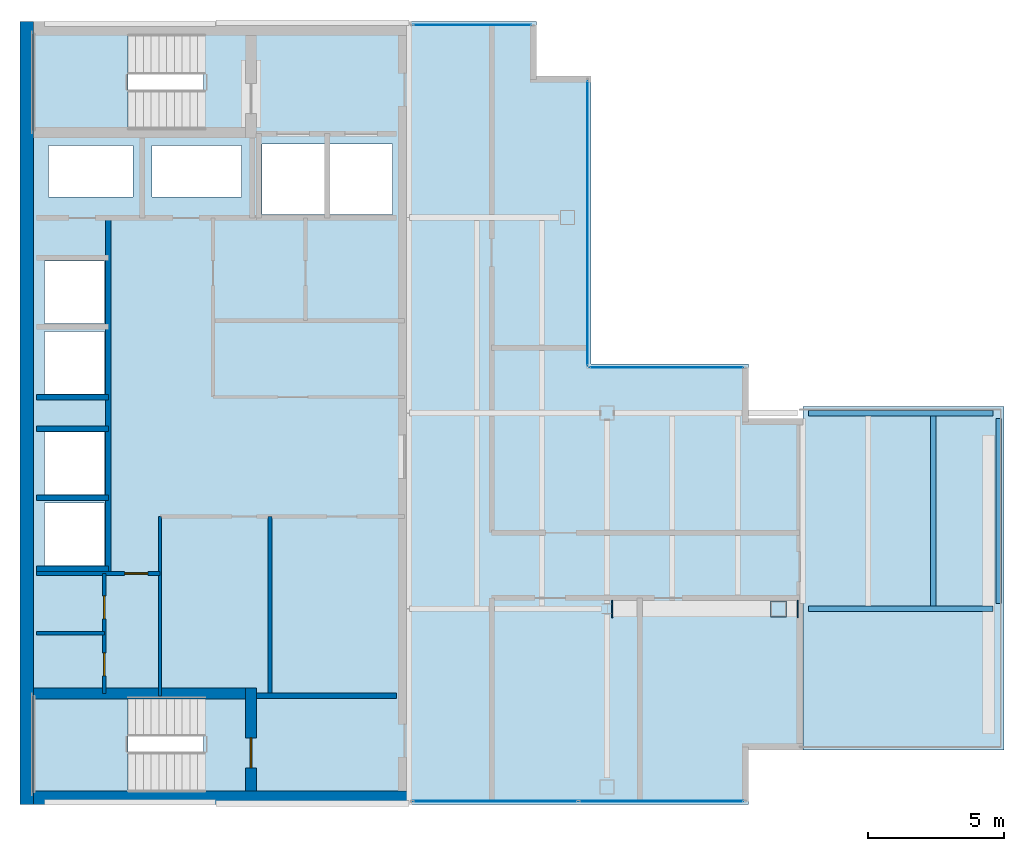
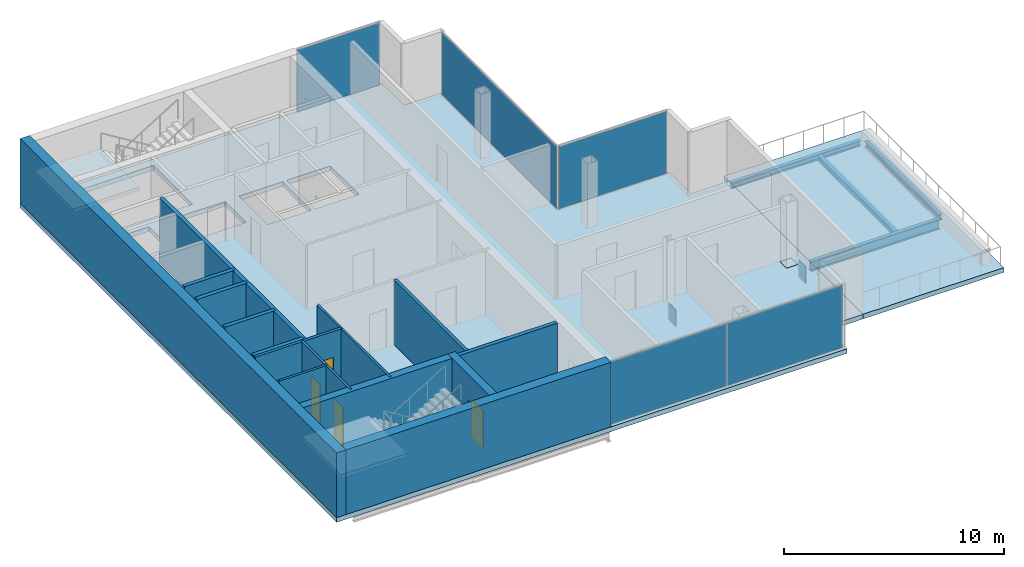
# One storey, part 13 of 16: 15 walls, 8 plates, 4 beams, 4 doors, 4 slabs, 14 openings, 6 elements without a shape of their own.
"""IFC4 building model written with IfcOpenShell, lengths in metres."""

from ifc_helpers import new_model, si_unit, direction, frame, frame_2d, origin, origin_2d, place, context, subcontext, project, spatial, polyline, rectangle, i_section, outline, extrude, material, layer, layer_set, material_profile, profile_set, type_object, element, fill, aggregate, save


model = new_model("IFC4")

# Units and contexts
model_context = context("Model", 3, precision=1e-05, world=origin(), true_north=direction((0.0, 1.0)))
body_context = subcontext(model_context, "Body", "Model", "MODEL_VIEW")
ifc_project = project(units=[si_unit("LENGTHUNIT", "METRE"), si_unit("AREAUNIT", "SQUARE_METRE"), si_unit("VOLUMEUNIT", "CUBIC_METRE"), si_unit("PLANEANGLEUNIT", "RADIAN"), si_unit("MASSUNIT", "GRAM", prefix="KILO")], contexts=[model_context])

# Site, building, storey
site_placement = place(None, origin())
site = spatial("IfcSite", under=ifc_project, at=site_placement, CompositionType="ELEMENT")
building_placement = place(site_placement, origin())
building = spatial("IfcBuilding", under=site, at=building_placement, Name="Cobrela Telecom Tower", CompositionType="ELEMENT")
storey_placement = place(building_placement, frame((0.0, 0.0, 293.64990234375)))
storey = spatial("IfcBuildingStorey", under=building, at=storey_placement, Name="L77", CompositionType="ELEMENT", Elevation=293.64990234375)

# Beams
ifc_material_1 = material(Name="Steel ASTM A992 Grade 50", Category="steel")
ifc_material_profile_1 = material_profile(ifc_material_1, i_section(OverallWidth=0.212890625, OverallDepth=0.549072265625, WebThickness=0.0146484375, FlangeThickness=0.023681640625, FilletRadius=0.013916015625, at=origin_2d()), Name="W21X93")
ifc_profile_set_1 = profile_set([ifc_material_profile_1], Name="Steel ASTM A992 Grade 50")
beam_type_1 = type_object("IfcBeamType", Name="BM-GIRD-08", PredefinedType="USERDEFINED", material=ifc_profile_set_1)
beam_1_placement = place(storey_placement, frame((29.00439453125, 14.39990234375, -0.534423828125), z_axis=(1.0, 0.0, 0.0), x_axis=(0.0, 1.0, 0.0)))
element("IfcBeam", 1, at=beam_1_placement, inside=storey, type_object=beam_type_1, Name="L77 Primary Girder X04", ObjectType="GIRDER", PredefinedType="USERDEFINED", context=body_context, shape_type="SweptSolid", body=[
    extrude(i_section(OverallWidth=0.212890625, OverallDepth=0.549072265625, WebThickness=0.0146484375, FlangeThickness=0.023681640625, FilletRadius=0.013916015625, at=origin_2d()), origin(), (0.0, 0.0, 1.0), 6.791015625),
])
ifc_material_profile_2 = material_profile(ifc_material_1, i_section(OverallWidth=0.205078125, OverallDepth=0.31005859375, WebThickness=0.009521484375, FlangeThickness=0.016357421875, FilletRadius=0.010986328125, at=origin_2d()), Name="W12X50")
ifc_profile_set_2 = profile_set([ifc_material_profile_2], Name="Steel ASTM A992 Grade 50")
beam_type_2 = type_object("IfcBeamType", Name="BM-JOIST-05", PredefinedType="JOIST", material=ifc_profile_set_2)
beam_2_placement = place(storey_placement, frame((33.60009765625, 14.511474609375, -0.414794921875), z_axis=(0.0, 1.0, 0.0), x_axis=(-1.0, 0.0, 0.0)))
element("IfcBeam", 2, at=beam_2_placement, inside=storey, type_object=beam_type_2, Name="L77 Secondary Composite Floor Beam J08", PredefinedType="JOIST", context=body_context, shape_type="SweptSolid", body=[
    extrude(i_section(OverallWidth=0.205078125, OverallDepth=0.31005859375, WebThickness=0.009521484375, FlangeThickness=0.016357421875, FilletRadius=0.010986328125, at=origin_2d()), origin(), (0.0, 0.0, 1.0), 6.98095703125),
])
ifc_material_profile_3 = material_profile(ifc_material_1, i_section(OverallWidth=0.205078125, OverallDepth=0.31005859375, WebThickness=0.009521484375, FlangeThickness=0.016357421875, FilletRadius=0.010986328125, at=origin_2d()), Name="W12X50")
ifc_profile_set_3 = profile_set([ifc_material_profile_3], Name="Steel ASTM A992 Grade 50")
beam_type_3 = type_object("IfcBeamType", Name="BM-SPAND-07", PredefinedType="SPANDREL", material=ifc_profile_set_3)
for number, where, z_axis, x_axis, name in (
    (3, (29.00439453125, 21.60009765625, -0.414794921875), (1.0, 0.0, 0.0), (0.0, 1.0, 0.0), "L77 Perimeter Spandrel X07"),
    (4, (36.0, 14.6044921875, -0.414794921875), (0.0, 1.0, 0.0), (-1.0, 0.0, 0.0), "L77 Perimeter Spandrel Y18"),
):
    element("IfcBeam", number, at=place(storey_placement, frame(where, z_axis=z_axis, x_axis=x_axis)), inside=storey, type_object=beam_type_3, Name=name, PredefinedType="SPANDREL", context=body_context, shape_type="SweptSolid", body=[
        extrude(i_section(OverallWidth=0.205078125, OverallDepth=0.31005859375, WebThickness=0.009521484375, FlangeThickness=0.016357421875, FilletRadius=0.010986328125, at=origin_2d()), origin(), (0.0, 0.0, 1.0), 6.791015625),
    ])

# Curtain wall, plate
ifc_material_2 = material(Name="Anodized Bronze Aluminium 6063-T6", Category="aluminium")
curtain_wall_type = type_object("IfcCurtainWallType", Name="CW-SYS-DRUM", PredefinedType="USERDEFINED", material=ifc_material_2)
curtain_wall_1_placement = place(storey_placement, origin())
curtain_wall_1 = element("IfcCurtainWall", 5, at=curtain_wall_1_placement, inside=storey, type_object=curtain_wall_type, Name="L77 Unitised Bronze Curtain Wall 01", ObjectType="UNITISED CURTAIN WALL", PredefinedType="USERDEFINED")
ifc_material_3 = material(Name="Solar-Control Bronze Low-E Glass", Category="glass")
ifc_layer_1 = layer(ifc_material_3, 0.028076171875)
ifc_layer_set_1 = layer_set([ifc_layer_1], Name="Solar-Control Bronze Low-E Glass")
plate_type_1 = type_object("IfcPlateType", Name="CW-SYS-DRUM-PNL", PredefinedType="CURTAIN_PANEL", material=ifc_layer_set_1)
plate_1_placement = place(storey_placement, frame((16.639892578125, 35.8798828125, 0.065185546875), z_axis=(0.0, 0.0, 1.0), x_axis=(1.0, 0.0, 0.0)))
plate_1 = element("IfcPlate", 6, at=plate_1_placement, type_object=plate_type_1, Name="CW-DRUM panel 1.1", PredefinedType="CURTAIN_PANEL", context=body_context, shape_type="SweptSolid", body=[
    extrude(rectangle(XDim=4.35009765625, YDim=0.028076171875, at=origin_2d()), origin(), (0.0, 0.0, 1.0), 3.4599609375),
])
aggregate(curtain_wall_1, [plate_1])

curtain_wall_2_placement = place(storey_placement, origin())
curtain_wall_2 = element("IfcCurtainWall", 7, at=curtain_wall_2_placement, inside=storey, type_object=curtain_wall_type, Name="L77 Unitised Bronze Curtain Wall 04", ObjectType="UNITISED CURTAIN WALL", PredefinedType="USERDEFINED")
plate_2_placement = place(storey_placement, frame((20.8798828125, 28.580078125, 0.065185546875), z_axis=(0.0, 0.0, 1.0), x_axis=(0.0, -1.0, 0.0)))
plate_2 = element("IfcPlate", 8, at=plate_2_placement, type_object=plate_type_1, Name="CW-DRUM panel 1.1", PredefinedType="CURTAIN_PANEL", context=body_context, shape_type="SweptSolid", body=[
    extrude(rectangle(XDim=10.469970703125, YDim=0.028076171875, at=origin_2d()), origin(), (0.0, 0.0, 1.0), 3.4599609375),
])
aggregate(curtain_wall_2, [plate_2])

curtain_wall_3_placement = place(storey_placement, origin())
curtain_wall_3 = element("IfcCurtainWall", 9, at=curtain_wall_3_placement, inside=storey, type_object=curtain_wall_type, Name="L77 Unitised Bronze Curtain Wall 05", ObjectType="UNITISED CURTAIN WALL", PredefinedType="USERDEFINED")
plate_3_placement = place(storey_placement, frame((23.780029296875, 23.280029296875, 0.065185546875), z_axis=(0.0, 0.0, 1.0), x_axis=(1.0, 0.0, 0.0)))
plate_3 = element("IfcPlate", 10, at=plate_3_placement, type_object=plate_type_1, Name="CW-DRUM panel 1.1", PredefinedType="CURTAIN_PANEL", context=body_context, shape_type="SweptSolid", body=[
    extrude(rectangle(XDim=5.669921875, YDim=0.028076171875, at=origin_2d()), origin(), (0.0, 0.0, 1.0), 3.4599609375),
])
aggregate(curtain_wall_3, [plate_3])

# Curtain wall, plates
curtain_wall_4_placement = place(storey_placement, origin())
curtain_wall_4 = element("IfcCurtainWall", 11, at=curtain_wall_4_placement, inside=storey, type_object=curtain_wall_type, Name="L77 Unitised Bronze Curtain Wall 11", ObjectType="UNITISED CURTAIN WALL", PredefinedType="USERDEFINED")
plate_4_placement = place(storey_placement, frame((23.59375, 7.320068359375, 0.065185546875), z_axis=(0.0, 0.0, 1.0), x_axis=(-1.0, 0.0, 0.0)))
plate_4 = element("IfcPlate", 12, at=plate_4_placement, type_object=plate_type_1, Name="CW-DRUM panel 1.1", PredefinedType="CURTAIN_PANEL", context=body_context, shape_type="SweptSolid", body=[
    extrude(rectangle(XDim=6.04248046875, YDim=0.028076171875, at=origin_2d()), origin(), (0.0, 0.0, 1.0), 3.4599609375),
])
plate_5_placement = place(storey_placement, frame((17.486328125, 7.320068359375, 0.065185546875), z_axis=(0.0, 0.0, 1.0), x_axis=(-1.0, 0.0, 0.0)))
plate_5 = element("IfcPlate", 13, at=plate_5_placement, type_object=plate_type_1, Name="CW-DRUM panel 2.1", PredefinedType="CURTAIN_PANEL", context=body_context, shape_type="SweptSolid", body=[
    extrude(rectangle(XDim=6.04248046875, YDim=0.028076171875, at=origin_2d()), origin(), (0.0, 0.0, 1.0), 3.4599609375),
])
aggregate(curtain_wall_4, [plate_4, plate_5])

# Plates
ifc_material_4 = material(Name="Steel ASTM A572 Grade 50", Category="steel")
ifc_layer_2 = layer(ifc_material_4, 0.044921875)
ifc_layer_set_2 = layer_set([ifc_layer_2], Name="Steel ASTM A572 Grade 50")
plate_type_2 = type_object("IfcPlateType", Name="PLT-END-CAP-45", PredefinedType="SHEET", material=ifc_layer_set_2)
plate_6_placement = place(storey_placement, frame((27.89990234375, 14.39990234375, -0.04248046875), z_axis=(0.0, 0.0, 1.0), x_axis=(1.0, 0.0, 0.0)))
element("IfcPlate", 14, at=plate_6_placement, inside=storey, type_object=plate_type_2, Name="L77 Stepped Column Base Cap Plate 83", PredefinedType="SHEET", context=body_context, shape_type="SweptSolid", body=[
    extrude(rectangle(XDim=0.590087890625, YDim=0.590087890625, at=origin_2d()), origin(), (0.0, 0.0, 1.0), 0.044921875),
])
ifc_layer_3 = layer(ifc_material_4, 0.048095703125)
ifc_layer_set_3 = layer_set([ifc_layer_3], Name="Steel ASTM A572 Grade 50")
plate_type_3 = type_object("IfcPlateType", Name="PLT-NODE-ND4", PredefinedType="USERDEFINED", material=ifc_layer_set_3)
for number, where, z_axis, x_axis, name in (
    (15, (21.784423828125, 14.39990234375, -1.179931640625), (0.0, 0.0, 1.0), (1.0, 0.0, 0.0), "Steel node plate PLT-BM-L77-BM-TRG-900-X-144-218-C0"),
    (16, (28.615478515625, 14.39990234375, -1.179931640625), (0.0, 0.0, 1.0), (1.0, 0.0, 0.0), "Steel node plate PLT-BM-L77-BM-TRG-900-X-144-218-C1"),
):
    element("IfcPlate", number, at=place(storey_placement, frame(where, z_axis=z_axis, x_axis=x_axis)), inside=storey, type_object=plate_type_3, Name=name, ObjectType="GUSSET PLATE", PredefinedType="USERDEFINED", context=body_context, shape_type="SweptSolid", body=[
        extrude(rectangle(XDim=0.044921875, YDim=0.639892578125, at=origin_2d()), origin(), (0.0, 0.0, 1.0), 0.93994140625),
    ])

# Slab, openings
ifc_material_5 = material(Name="Concrete C40/50", Category="concrete")
ifc_layer_4 = layer(ifc_material_5, 0.260009765625)
ifc_layer_set_4 = layer_set([ifc_layer_4], Name="Concrete C40/50")
slab_type_1 = type_object("IfcSlabType", Name="SLAB-FLR-260", PredefinedType="FLOOR", material=ifc_layer_set_4)
slab_1_placement = place(storey_placement, frame((0.0, 0.0, -0.260009765625)))
slab_1 = element("IfcSlab", 17, at=slab_1_placement, inside=storey, type_object=slab_type_1, Name="L77 Structural Floor Slab", PredefinedType="FLOOR", context=body_context, shape_type="SweptSolid", body=[
    extrude(outline(polyline([(0.0, 7.199951171875), (26.800048828125, 7.199951171875), (26.800048828125, 9.199951171875), (28.800048828125, 9.199951171875), (28.800048828125, 21.39990234375), (26.800048828125, 21.39990234375), (26.800048828125, 23.39990234375), (21.0, 23.39990234375), (21.0, 34.0), (19.0, 34.0), (19.0, 36.0), (0.0, 36.0), (0.0, 7.199951171875)])), origin(), (0.0, 0.0, 1.0), 0.260009765625),
])
opening_1_placement = place(slab_1_placement, frame((0.0, 0.0, -0.02001953125)))
element("IfcOpeningElement", 18, at=opening_1_placement, cuts=slab_1, Name="Slab Shaft Opening SLAB-L77-MAIN.1", PredefinedType="OPENING", context=body_context, shape_type="SweptSolid", body=[
    extrude(outline(polyline([(8.89990234375, 28.89990234375), (11.199951171875, 28.89990234375), (11.199951171875, 31.5), (8.89990234375, 31.5), (8.89990234375, 28.89990234375)])), origin(), (0.0, 0.0, 1.0), 0.300048828125),
])
opening_2_placement = place(slab_1_placement, frame((0.0, 0.0, -0.02001953125)))
element("IfcOpeningElement", 19, at=opening_2_placement, cuts=slab_1, Name="Slab Shaft Opening SLAB-L77-MAIN.2", PredefinedType="OPENING", context=body_context, shape_type="SweptSolid", body=[
    extrude(outline(polyline([(11.39990234375, 28.89990234375), (13.699951171875, 28.89990234375), (13.699951171875, 31.5), (11.39990234375, 31.5), (11.39990234375, 28.89990234375)])), origin(), (0.0, 0.0, 1.0), 0.300048828125),
])
opening_3_placement = place(slab_1_placement, frame((0.0, 0.0, -0.02001953125)))
element("IfcOpeningElement", 20, at=opening_3_placement, cuts=slab_1, Name="Slab Shaft Opening SLAB-L77-MAIN.3", PredefinedType="OPENING", context=body_context, shape_type="SweptSolid", body=[
    extrude(outline(polyline([(0.89990234375, 16.0), (3.10009765625, 16.0), (3.10009765625, 18.300048828125), (0.89990234375, 18.300048828125), (0.89990234375, 16.0)])), origin(), (0.0, 0.0, 1.0), 0.300048828125),
])
opening_4_placement = place(slab_1_placement, frame((0.0, 0.0, -0.02001953125)))
element("IfcOpeningElement", 21, at=opening_4_placement, cuts=slab_1, Name="Slab Shaft Opening SLAB-L77-MAIN.4", PredefinedType="OPENING", context=body_context, shape_type="SweptSolid", body=[
    extrude(outline(polyline([(0.89990234375, 18.60009765625), (3.10009765625, 18.60009765625), (3.10009765625, 20.89990234375), (0.89990234375, 20.89990234375), (0.89990234375, 18.60009765625)])), origin(), (0.0, 0.0, 1.0), 0.300048828125),
])
opening_5_placement = place(slab_1_placement, frame((0.0, 0.0, -0.02001953125)))
element("IfcOpeningElement", 22, at=opening_5_placement, cuts=slab_1, Name="Slab Shaft Opening SLAB-L77-MAIN.5", PredefinedType="OPENING", context=body_context, shape_type="SweptSolid", body=[
    extrude(outline(polyline([(0.89990234375, 22.300048828125), (3.10009765625, 22.300048828125), (3.10009765625, 24.60009765625), (0.89990234375, 24.60009765625), (0.89990234375, 22.300048828125)])), origin(), (0.0, 0.0, 1.0), 0.300048828125),
])
opening_6_placement = place(slab_1_placement, frame((0.0, 0.0, -0.02001953125)))
element("IfcOpeningElement", 23, at=opening_6_placement, cuts=slab_1, Name="Slab Shaft Opening SLAB-L77-MAIN.6", PredefinedType="OPENING", context=body_context, shape_type="SweptSolid", body=[
    extrude(outline(polyline([(0.89990234375, 24.89990234375), (3.10009765625, 24.89990234375), (3.10009765625, 27.199951171875), (0.89990234375, 27.199951171875), (0.89990234375, 24.89990234375)])), origin(), (0.0, 0.0, 1.0), 0.300048828125),
])
opening_7_placement = place(slab_1_placement, frame((0.0, 0.0, -0.02001953125)))
element("IfcOpeningElement", 24, at=opening_7_placement, cuts=slab_1, Name="Slab Shaft Opening SLAB-L77-MAIN.7", PredefinedType="OPENING", context=body_context, shape_type="SweptSolid", body=[
    extrude(outline(polyline([(1.050048828125, 29.550048828125), (4.14990234375, 29.550048828125), (4.14990234375, 31.449951171875), (1.050048828125, 31.449951171875), (1.050048828125, 29.550048828125)])), origin(), (0.0, 0.0, 1.0), 0.300048828125),
])
opening_8_placement = place(slab_1_placement, frame((0.0, 0.0, -0.02001953125)))
element("IfcOpeningElement", 25, at=opening_8_placement, cuts=slab_1, Name="Slab Shaft Opening SLAB-L77-MAIN.8", PredefinedType="OPENING", context=body_context, shape_type="SweptSolid", body=[
    extrude(outline(polyline([(4.85009765625, 29.550048828125), (8.14990234375, 29.550048828125), (8.14990234375, 31.449951171875), (4.85009765625, 31.449951171875), (4.85009765625, 29.550048828125)])), origin(), (0.0, 0.0, 1.0), 0.300048828125),
])
opening_9_placement = place(slab_1_placement, frame((0.0, 0.0, -0.02001953125)))
element("IfcOpeningElement", 26, at=opening_9_placement, cuts=slab_1, Name="Slab Shaft Opening SLAB-L77-MAIN.9", PredefinedType="OPENING", context=body_context, shape_type="SweptSolid", body=[
    extrude(outline(polyline([(6.7548828125, 35.550048828125), (0.47998046875, 35.550048828125), (0.47998046875, 32.0), (6.7548828125, 32.0), (6.7548828125, 35.550048828125)])), origin(), (0.0, 0.0, 1.0), 0.300048828125),
])
opening_10_placement = place(slab_1_placement, frame((0.0, 0.0, -0.02001953125)))
element("IfcOpeningElement", 27, at=opening_10_placement, cuts=slab_1, Name="Slab Shaft Opening SLAB-L77-MAIN.10", PredefinedType="OPENING", context=body_context, shape_type="SweptSolid", body=[
    extrude(outline(polyline([(6.7548828125, 11.199951171875), (0.47998046875, 11.199951171875), (0.47998046875, 7.64990234375), (6.7548828125, 7.64990234375), (6.7548828125, 11.199951171875)])), origin(), (0.0, 0.0, 1.0), 0.300048828125),
])

# Stair, slab
stair_type = type_object("IfcStairType", Name="STAIR-CORE", PredefinedType="HALF_TURN_STAIR", material=ifc_material_5)
stair_1_placement = place(storey_placement, origin())
stair_1 = element("IfcStair", 28, at=stair_1_placement, inside=storey, type_object=stair_type, Name="L77 Smokeproof Exit Stair ST1", PredefinedType="HALF_TURN_STAIR")
ifc_layer_5 = layer(ifc_material_5, 0.199951171875)
ifc_layer_set_5 = layer_set([ifc_layer_5], Name="Concrete C40/50")
slab_type_2 = type_object("IfcSlabType", Name="SLAB-LAND-200", PredefinedType="LANDING", material=ifc_layer_set_5)
slab_2_placement = place(storey_placement, frame((0.0, 0.0, 1.72509765625)))
slab_2 = element("IfcSlab", 29, at=slab_2_placement, type_object=slab_type_2, Name="ST1 landing 1", PredefinedType="LANDING", context=body_context, shape_type="SweptSolid", body=[
    extrude(outline(polyline([(3.969970703125, 35.550048828125), (0.47998046875, 35.550048828125), (0.47998046875, 32.0), (3.969970703125, 32.0), (3.969970703125, 35.550048828125)])), origin(), (0.0, 0.0, 1.0), 0.199951171875),
])
aggregate(stair_1, [slab_2])

stair_2_placement = place(storey_placement, origin())
stair_2 = element("IfcStair", 30, at=stair_2_placement, inside=storey, type_object=stair_type, Name="L77 Smokeproof Exit Stair ST2", PredefinedType="HALF_TURN_STAIR")
slab_3_placement = place(storey_placement, frame((0.0, 0.0, 1.72509765625)))
slab_3 = element("IfcSlab", 31, at=slab_3_placement, type_object=slab_type_2, Name="ST2 landing 1", PredefinedType="LANDING", context=body_context, shape_type="SweptSolid", body=[
    extrude(outline(polyline([(3.969970703125, 11.199951171875), (0.47998046875, 11.199951171875), (0.47998046875, 7.64990234375), (3.969970703125, 7.64990234375), (3.969970703125, 11.199951171875)])), origin(), (0.0, 0.0, 1.0), 0.199951171875),
])
aggregate(stair_2, [slab_3])

# Slab
ifc_layer_6 = layer(ifc_material_5, 0.280029296875)
ifc_layer_set_6 = layer_set([ifc_layer_6], Name="Concrete C40/50")
slab_type_3 = type_object("IfcSlabType", Name="SLAB-TERR-280", PredefinedType="FLOOR", material=ifc_layer_set_6)
slab_4_placement = place(storey_placement, frame((0.0, 0.0, -0.260009765625)))
element("IfcSlab", 32, at=slab_4_placement, inside=storey, type_object=slab_type_3, Name="L77 Crown Upper Sky Garden Terrace", PredefinedType="FLOOR", context=body_context, shape_type="SweptSolid", body=[
    extrude(outline(polyline([(28.800048828125, 9.199951171875), (36.199951171875, 9.199951171875), (36.199951171875, 21.85009765625), (28.800048828125, 21.85009765625), (28.800048828125, 9.199951171875)])), origin(), (0.0, 0.0, 1.0), 0.260009765625),
])

# Walls
ifc_layer_7 = layer(ifc_material_5, 0.5)
ifc_layer_set_7 = layer_set([ifc_layer_7], Name="Concrete C40/50")
wall_type_1 = type_object("IfcWallType", Name="WALL-CORE-C40-500", PredefinedType="SHEAR", material=ifc_layer_set_7)
wall_1_placement = place(storey_placement, frame((0.25, 7.199951171875, 0.0), z_axis=(0.0, 0.0, 1.0), x_axis=(0.0, 1.0, 0.0)))
element("IfcWall", 33, at=wall_1_placement, inside=storey, type_object=wall_type_1, Name="L77 West Core Shear Wall", PredefinedType="SHEAR", context=body_context, shape_type="SweptSolid", body=[
    extrude(rectangle(XDim=28.800048828125, YDim=0.5, at=frame_2d((14.39990234375, 0.0))), origin(), (0.0, 0.0, 1.0), 3.590087890625),
])
wall_2_placement = place(storey_placement, frame((0.5, 7.449951171875, 0.0), z_axis=(0.0, 0.0, 1.0), x_axis=(1.0, 0.0, 0.0)))
element("IfcWall", 34, at=wall_2_placement, inside=storey, type_object=wall_type_1, Name="L77 South Core Shear Wall", PredefinedType="SHEAR", context=body_context, shape_type="SweptSolid", body=[
    extrude(rectangle(XDim=13.89990234375, YDim=0.5, at=frame_2d((6.949951171875, 0.0))), origin(), (0.0, 0.0, 1.0), 3.590087890625),
])
ifc_material_6 = material(Name="Fire-Rated Gypsum Plasterboard")
ifc_layer_8 = layer(ifc_material_6, 0.110107421875)
ifc_layer_set_8 = layer_set([ifc_layer_8], Name="Fire-Rated Gypsum Plasterboard")
wall_type_2 = type_object("IfcWallType", Name="WALL-PART-110", PredefinedType="PARTITIONING", material=ifc_layer_set_8)
wall_3_placement = place(storey_placement, frame((5.14990234375, 11.199951171875, 0.0), z_axis=(0.0, 0.0, 1.0), x_axis=(0.0, 1.0, 0.0)))
element("IfcWall", 35, at=wall_3_placement, inside=storey, type_object=wall_type_2, Name="L77 Interior Partition CW-RECM-W", PredefinedType="PARTITIONING", context=body_context, shape_type="SweptSolid", body=[
    extrude(rectangle(XDim=6.60009765625, YDim=0.110107421875, at=frame_2d((3.300048828125, 0.0))), origin(), (0.0, 0.0, 1.0), 3.590087890625),
])
ifc_layer_9 = layer(ifc_material_6, 0.125)
ifc_layer_set_9 = layer_set([ifc_layer_9], Name="Fire-Rated Gypsum Plasterboard")
wall_type_3 = type_object("IfcWallType", Name="WALL-PART-125", PredefinedType="PARTITIONING", material=ifc_layer_set_9)
wall_4_placement = place(storey_placement, frame((0.60009765625, 13.5, 0.0), z_axis=(0.0, 0.0, 1.0), x_axis=(1.0, 0.0, 0.0)))
element("IfcWall", 36, at=wall_4_placement, inside=storey, type_object=wall_type_3, Name="L77 Interior Partition CW-FK3-H", PredefinedType="PARTITIONING", context=body_context, shape_type="SweptSolid", body=[
    extrude(rectangle(XDim=2.5, YDim=0.125, at=frame_2d((1.25, 0.0))), origin(), (0.0, 0.0, 1.0), 3.590087890625),
])

# Wall, openings, doors
wall_5_placement = place(storey_placement, frame((3.10009765625, 11.280029296875, 0.0), z_axis=(0.0, 0.0, 1.0), x_axis=(0.0, 1.0, 0.0)))
wall_5 = element("IfcWall", 37, at=wall_5_placement, inside=storey, type_object=wall_type_3, Name="L77 Interior Partition CW-FK3-V", PredefinedType="PARTITIONING", context=body_context, shape_type="SweptSolid", body=[
    extrude(rectangle(XDim=4.419921875, YDim=0.125, at=frame_2d((2.2099609375, 0.0))), origin(), (0.0, 0.0, 1.0), 3.590087890625),
])
opening_11_placement = place(wall_5_placement, frame((0.64990234375, 0.0, 0.0)))
opening_11 = element("IfcOpeningElement", 38, at=opening_11_placement, cuts=wall_5, Name="Opening DR-11", PredefinedType="OPENING", context=body_context, shape_type="SweptSolid", body=[
    extrude(rectangle(XDim=0.85009765625, YDim=2.14990234375, at=frame_2d((0.425048828125, 1.074951171875))), frame((0.0, 0.074462890625, 0.0), z_axis=(0.0, -1.0, 0.0), x_axis=(1.0, 0.0, 0.0)), (0.0, 0.0, 1.0), 0.14892578125),
])
opening_12_placement = place(wall_5_placement, frame((2.75, 0.0, 0.0)))
opening_12 = element("IfcOpeningElement", 39, at=opening_12_placement, cuts=wall_5, Name="Opening DR-11", PredefinedType="OPENING", context=body_context, shape_type="SweptSolid", body=[
    extrude(rectangle(XDim=0.85009765625, YDim=2.14990234375, at=frame_2d((0.425048828125, 1.074951171875))), frame((0.0, 0.074462890625, 0.0), z_axis=(0.0, -1.0, 0.0), x_axis=(1.0, 0.0, 0.0)), (0.0, 0.0, 1.0), 0.14892578125),
])
ifc_material_7 = material(Name="Solid Engineered Oak Timber", Category="wood")
door_type_1 = type_object("IfcDoorType", Name="DOOR-INT-850", OperationType="SINGLE_SWING_LEFT", PredefinedType="DOOR", material=ifc_material_7)
door_1_placement = place(opening_11_placement, origin())
door_1 = element("IfcDoor", 40, at=door_1_placement, inside=storey, type_object=door_type_1, Name="L77 Door DR-11", OperationType="SINGLE_SWING_LEFT", OverallHeight=2.14990234375, OverallWidth=0.85009765625, PredefinedType="DOOR", context=body_context, shape_type="SweptSolid", body=[
    extrude(rectangle(XDim=0.85009765625, YDim=2.14990234375, at=frame_2d((0.425048828125, 1.074951171875))), frame((0.0, 0.02490234375, 0.0), z_axis=(0.0, -1.0, 0.0), x_axis=(1.0, 0.0, 0.0)), (0.0, 0.0, 1.0), 0.050048828125),
])
fill(opening_11, door_1)
door_2_placement = place(opening_12_placement, origin())
door_2 = element("IfcDoor", 41, at=door_2_placement, inside=storey, type_object=door_type_1, Name="L77 Door DR-11", OperationType="SINGLE_SWING_RIGHT", OverallHeight=2.14990234375, OverallWidth=0.85009765625, PredefinedType="DOOR", context=body_context, shape_type="SweptSolid", body=[
    extrude(rectangle(XDim=0.85009765625, YDim=2.14990234375, at=frame_2d((0.425048828125, 1.074951171875))), frame((0.0, 0.02490234375, 0.0), z_axis=(0.0, -1.0, 0.0), x_axis=(1.0, 0.0, 0.0)), (0.0, 0.0, 1.0), 0.050048828125),
])
fill(opening_12, door_2)

# Wall, opening, door
ifc_layer_10 = layer(ifc_material_6, 0.14990234375)
ifc_layer_set_10 = layer_set([ifc_layer_10], Name="Fire-Rated Gypsum Plasterboard")
wall_type_4 = type_object("IfcWallType", Name="WALL-PART-150", PredefinedType="PARTITIONING", material=ifc_layer_set_10)
wall_6_placement = place(storey_placement, frame((0.60009765625, 15.699951171875, 0.0), z_axis=(0.0, 0.0, 1.0), x_axis=(1.0, 0.0, 0.0)))
wall_6 = element("IfcWall", 42, at=wall_6_placement, inside=storey, type_object=wall_type_4, Name="L77 Interior Partition CW-FLEX-N", PredefinedType="PARTITIONING", context=body_context, shape_type="SweptSolid", body=[
    extrude(rectangle(XDim=4.5498046875, YDim=0.14990234375, at=frame_2d((2.27490234375, 0.0))), origin(), (0.0, 0.0, 1.0), 3.590087890625),
])
opening_13_placement = place(wall_6_placement, frame((3.25, 0.0, 0.0)))
opening_13 = element("IfcOpeningElement", 43, at=opening_13_placement, cuts=wall_6, Name="Opening DR-11", PredefinedType="OPENING", context=body_context, shape_type="SweptSolid", body=[
    extrude(rectangle(XDim=0.85009765625, YDim=2.14990234375, at=frame_2d((0.425048828125, 1.074951171875))), frame((0.0, 0.0869140625, 0.0), z_axis=(0.0, -1.0, 0.0), x_axis=(1.0, 0.0, 0.0)), (0.0, 0.0, 1.0), 0.173828125),
])
door_3_placement = place(opening_13_placement, origin())
door_3 = element("IfcDoor", 44, at=door_3_placement, inside=storey, type_object=door_type_1, Name="L77 Door DR-11", OperationType="SINGLE_SWING_LEFT", OverallHeight=2.14990234375, OverallWidth=0.85009765625, PredefinedType="DOOR", context=body_context, shape_type="SweptSolid", body=[
    extrude(rectangle(XDim=0.85009765625, YDim=2.14990234375, at=frame_2d((0.425048828125, 1.074951171875))), frame((0.0, 0.02490234375, 0.0), z_axis=(0.0, -1.0, 0.0), x_axis=(1.0, 0.0, 0.0)), (0.0, 0.0, 1.0), 0.050048828125),
])
fill(opening_13, door_3)

# Walls
ifc_layer_11 = layer(ifc_material_6, 0.159912109375)
ifc_layer_set_11 = layer_set([ifc_layer_11], Name="Fire-Rated Gypsum Plasterboard")
wall_type_5 = type_object("IfcWallType", Name="WALL-PART-160", PredefinedType="PARTITIONING", material=ifc_layer_set_11)
wall_7_placement = place(storey_placement, frame((9.199951171875, 11.199951171875, 0.0), z_axis=(0.0, 0.0, 1.0), x_axis=(0.0, 1.0, 0.0)))
element("IfcWall", 45, at=wall_7_placement, inside=storey, type_object=wall_type_5, Name="L77 Interior Partition CW-RECM-V", PredefinedType="PARTITIONING", context=body_context, shape_type="SweptSolid", body=[
    extrude(rectangle(XDim=6.60009765625, YDim=0.159912109375, at=frame_2d((3.300048828125, 0.0))), origin(), (0.0, 0.0, 1.0), 3.590087890625),
])
ifc_layer_12 = layer(ifc_material_6, 0.199951171875)
ifc_layer_set_12 = layer_set([ifc_layer_12], Name="Fire-Rated Gypsum Plasterboard")
wall_type_6 = type_object("IfcWallType", Name="WALL-SHAFT-200", PredefinedType="PARTITIONING", material=ifc_layer_set_12)
wall_8_placement = place(storey_placement, frame((8.699951171875, 11.199951171875, 0.0), z_axis=(0.0, 0.0, 1.0), x_axis=(1.0, 0.0, 0.0)))
element("IfcWall", 46, at=wall_8_placement, inside=storey, type_object=wall_type_6, Name="L77 Shaft Enclosure CW-ST2L-N", PredefinedType="PARTITIONING", context=body_context, shape_type="SweptSolid", body=[
    extrude(rectangle(XDim=5.150146484375, YDim=0.199951171875, at=frame_2d((2.5751953125, 0.0))), origin(), (0.0, 0.0, 1.0), 3.590087890625),
])
wall_9_placement = place(storey_placement, frame((3.25, 15.699951171875, 0.0), z_axis=(0.0, 0.0, 1.0), x_axis=(0.0, 1.0, 0.0)))
element("IfcWall", 47, at=wall_9_placement, inside=storey, type_object=wall_type_6, Name="L77 Shaft Enclosure CW-PLH-E", PredefinedType="PARTITIONING", context=body_context, shape_type="SweptSolid", body=[
    extrude(rectangle(XDim=13.080078125, YDim=0.199951171875, at=frame_2d((6.5400390625, 0.0))), origin(), (0.0, 0.0, 1.0), 3.590087890625),
])
for number, where, z_axis, x_axis, name in (
    (48, (0.60009765625, 15.8798828125, 0.0), (0.0, 0.0, 1.0), (1.0, 0.0, 0.0), "L77 Shaft Enclosure CW-PLH-D9"),
    (49, (0.60009765625, 18.47998046875, 0.0), (0.0, 0.0, 1.0), (1.0, 0.0, 0.0), "L77 Shaft Enclosure CW-PLH-D10"),
    (50, (0.60009765625, 22.179931640625, 0.0), (0.0, 0.0, 1.0), (1.0, 0.0, 0.0), "L77 Shaft Enclosure CW-PLH-D11"),
    (51, (0.60009765625, 21.02001953125, 0.0), (0.0, 0.0, 1.0), (1.0, 0.0, 0.0), "L77 Shaft Enclosure CW-PLH-MID"),
):
    element("IfcWall", number, at=place(storey_placement, frame(where, z_axis=z_axis, x_axis=x_axis)), inside=storey, type_object=wall_type_6, Name=name, PredefinedType="PARTITIONING", context=body_context, shape_type="SweptSolid", body=[
        extrude(rectangle(XDim=2.64990234375, YDim=0.199951171875, at=frame_2d((1.324951171875, 0.0))), origin(), (0.0, 0.0, 1.0), 3.590087890625),
    ])
ifc_layer_13 = layer(ifc_material_5, 0.39990234375)
ifc_layer_set_13 = layer_set([ifc_layer_13], Name="Concrete C40/50")
wall_type_7 = type_object("IfcWallType", Name="WALL-SHAFT-C40-400", PredefinedType="SHEAR", material=ifc_layer_set_13)
wall_10_placement = place(storey_placement, frame((0.5, 11.280029296875, 0.0), z_axis=(0.0, 0.0, 1.0), x_axis=(1.0, 0.0, 0.0)))
element("IfcWall", 52, at=wall_10_placement, inside=storey, type_object=wall_type_7, Name="L77 South Stair Shear Wall", PredefinedType="SHEAR", context=body_context, shape_type="SweptSolid", body=[
    extrude(rectangle(XDim=7.800048828125, YDim=0.39990234375, at=frame_2d((3.89990234375, 0.0))), origin(), (0.0, 0.0, 1.0), 3.590087890625),
])

# Wall, opening, door
wall_11_placement = place(storey_placement, frame((8.5, 7.699951171875, 0.0), z_axis=(0.0, 0.0, 1.0), x_axis=(0.0, 1.0, 0.0)))
wall_11 = element("IfcWall", 53, at=wall_11_placement, inside=storey, type_object=wall_type_7, Name="L77 South Stair Lobby Shear Wall", PredefinedType="SHEAR", context=body_context, shape_type="SweptSolid", body=[
    extrude(rectangle(XDim=3.780029296875, YDim=0.39990234375, at=frame_2d((1.89013671875, 0.0))), origin(), (0.0, 0.0, 1.0), 3.590087890625),
])
opening_14_placement = place(wall_11_placement, frame((0.85009765625, 0.0, 0.0)))
opening_14 = element("IfcOpeningElement", 54, at=opening_14_placement, cuts=wall_11, Name="Opening FD-90", PredefinedType="OPENING", context=body_context, shape_type="SweptSolid", body=[
    extrude(rectangle(XDim=1.10009765625, YDim=2.14990234375, at=frame_2d((0.550048828125, 1.074951171875))), frame((0.0, 0.2119140625, 0.0), z_axis=(0.0, -1.0, 0.0), x_axis=(1.0, 0.0, 0.0)), (0.0, 0.0, 1.0), 0.423828125),
])
ifc_material_8 = material(Name="Steel ASTM A36", Category="steel")
door_type_2 = type_object("IfcDoorType", Name="DOOR-FD90-1100", OperationType="SINGLE_SWING_LEFT", PredefinedType="DOOR", material=ifc_material_8)
door_4_placement = place(opening_14_placement, origin())
door_4 = element("IfcDoor", 55, at=door_4_placement, inside=storey, type_object=door_type_2, Name="L77 Door FD-90", OperationType="SINGLE_SWING_LEFT", OverallHeight=2.14990234375, OverallWidth=1.10009765625, PredefinedType="DOOR", context=body_context, shape_type="SweptSolid", body=[
    extrude(rectangle(XDim=1.10009765625, YDim=2.14990234375, at=frame_2d((0.550048828125, 1.074951171875))), frame((0.0, 0.02490234375, 0.0), z_axis=(0.0, -1.0, 0.0), x_axis=(1.0, 0.0, 0.0)), (0.0, 0.0, 1.0), 0.050048828125),
])
fill(opening_14, door_4)

save(model, "model.ifc")
